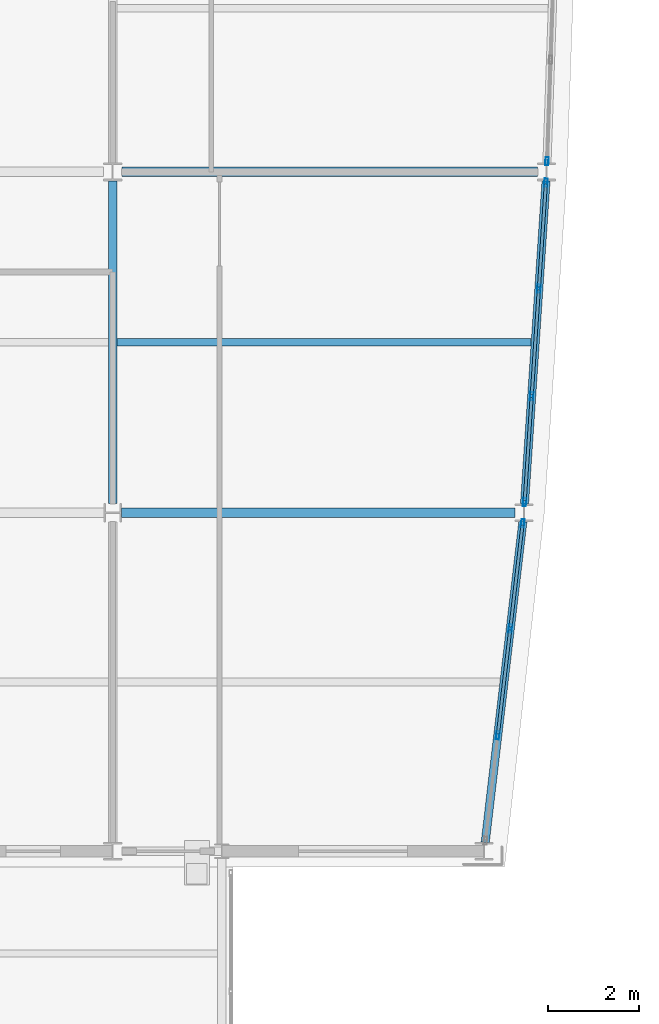
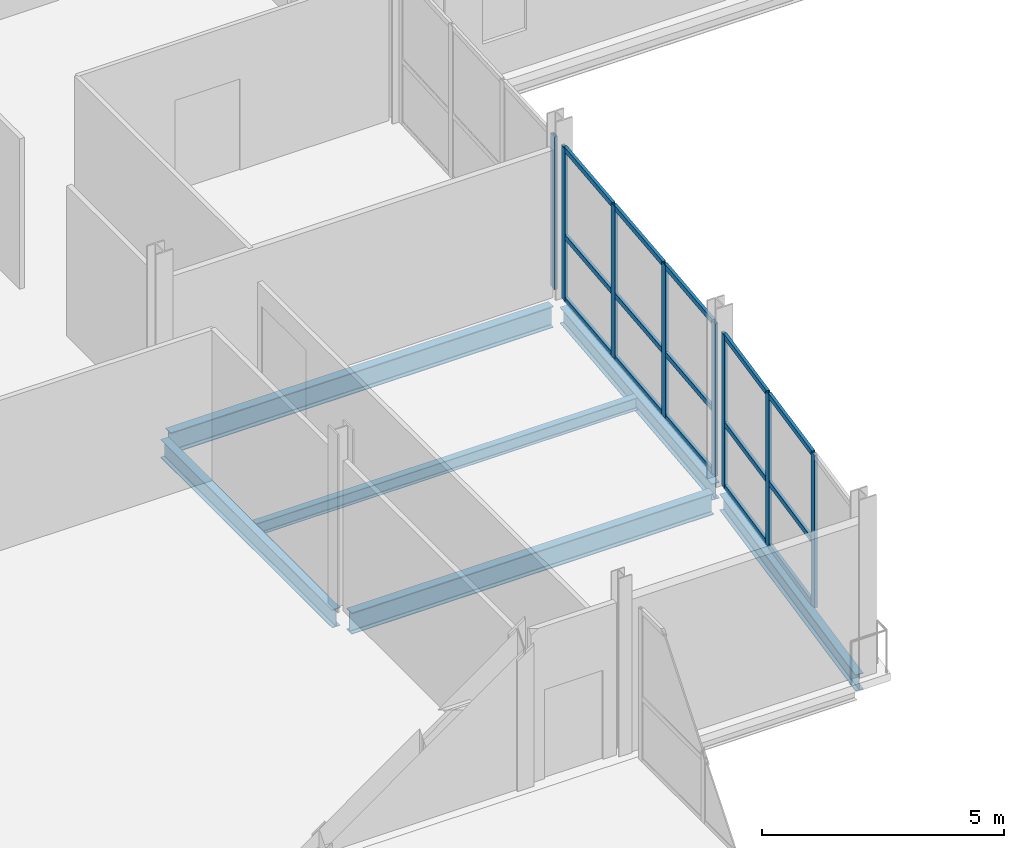
# One storey, part 28 of 77: 23 members, 6 beams, 3 elements without a shape of their own.
"""IFC4 building model written with IfcOpenShell, lengths in metres."""

from ifc_helpers import new_model, si_unit, direction, frame, origin, origin_2d, place, context, subcontext, project, spatial, hollow_rectangle, i_section, extrude, material, layer, layer_set, material_profile, profile_set, type_object, element, aggregate, save


model = new_model("IFC4")

# Units and contexts
model_context = context("Model", 3, precision=1e-05, world=origin(), true_north=direction((0.0, 1.0)))
body_context = subcontext(model_context, "Body", "Model", "MODEL_VIEW")
ifc_project = project(units=[si_unit("LENGTHUNIT", "METRE"), si_unit("AREAUNIT", "SQUARE_METRE"), si_unit("VOLUMEUNIT", "CUBIC_METRE"), si_unit("PLANEANGLEUNIT", "RADIAN"), si_unit("MASSUNIT", "GRAM", prefix="KILO")], contexts=[model_context])

# Site, building, storey
site_placement = place(None, origin())
site = spatial("IfcSite", under=ifc_project, at=site_placement, CompositionType="ELEMENT")
building_placement = place(site_placement, origin())
building = spatial("IfcBuilding", under=site, at=building_placement, Name="Quillay Park Conservatory", CompositionType="ELEMENT")
storey_placement = place(building_placement, frame((0.0, 0.0, 5.39990234375)))
storey = spatial("IfcBuildingStorey", under=building, at=storey_placement, Name="L01", CompositionType="ELEMENT", Elevation=5.39990234375)

# Beam
ifc_material_1 = material(Name="Steel ASTM A992 Grade 50", Category="steel")
ifc_material_profile_1 = material_profile(ifc_material_1, i_section(OverallWidth=0.166015625, OverallDepth=0.31298828125, WebThickness=0.006591796875, FlangeThickness=0.01123046875, FilletRadius=0.010009765625, at=origin_2d()), Name="W310x45")
ifc_profile_set_1 = profile_set([ifc_material_profile_1], Name="Steel ASTM A992 Grade 50")
beam_type_1 = type_object("IfcBeamType", Name="COMPOSITE FLOOR JOIST W310 X45", PredefinedType="JOIST", material=ifc_profile_set_1)
beam_1_placement = place(storey_placement, frame((19.845947265625, 74.25, -0.3564453125), z_axis=(1.0, 0.0, 0.0), x_axis=(0.0, 1.0, 0.0)))
element("IfcBeam", 1, at=beam_1_placement, inside=storey, type_object=beam_type_1, Name="L01 beam BM-J-0142", PredefinedType="JOIST", context=body_context, shape_type="SweptSolid", body=[
    extrude(i_section(OverallWidth=0.166015625, OverallDepth=0.31298828125, WebThickness=0.006591796875, FlangeThickness=0.01123046875, FilletRadius=0.010009765625, at=origin_2d()), origin(), (0.0, 0.0, 1.0), 9.114013671875),
])

# Curtain wall, members
ifc_material_2 = material(Name="Thermally Broken Anodised Aluminium 6063-T6", Category="aluminium")
ifc_layer = layer(ifc_material_2, 0.179931640625)
ifc_layer_set = layer_set([ifc_layer], Name="UNITISED CURTAIN WALL TOWER (Thermally Broken Anodised Aluminium 6063-T6)")
curtain_wall_type = type_object("IfcCurtainWallType", Name="UNITISED CURTAIN WALL TOWER", PredefinedType="USERDEFINED", material=ifc_layer_set)
curtain_wall_1_placement = place(storey_placement, origin())
curtain_wall_1 = element("IfcCurtainWall", 2, at=curtain_wall_1_placement, inside=storey, type_object=curtain_wall_type, Name="L01 Unitised Curtain Wall 010", ObjectType="UNITISED CURTAIN WALL", PredefinedType="USERDEFINED")
ifc_material_3 = material(Name="Thermally Broken Anodised Aluminium 6063-T6", Category="aluminium")
ifc_material_profile_2 = material_profile(ifc_material_3, hollow_rectangle(XDim=0.070068359375, YDim=0.179931640625, WallThickness=0.00390625, at=origin_2d()), Name="AL70x180x4")
ifc_profile_set_2 = profile_set([ifc_material_profile_2], Name="Thermally Broken Anodised Aluminium 6063-T6")
member_type_1 = type_object("IfcMemberType", Name="CURTAIN WALL MULLION 70 X180", PredefinedType="MULLION", material=ifc_profile_set_2)
member_1_placement = place(storey_placement, frame((28.772705078125, 70.2666015625, 0.0), z_axis=(0.0, 0.0, 1.0), x_axis=(0.993172502804, -0.116654959918, 0.0)))
member_1 = element("IfcMember", 3, at=member_1_placement, type_object=member_type_1, Name="CW-T1 mullion 1", PredefinedType="MULLION", context=body_context, shape_type="SweptSolid", body=[
    extrude(hollow_rectangle(XDim=0.070068359375, YDim=0.179931640625, WallThickness=0.00390625, at=origin_2d()), origin(), (0.0, 0.0, 1.0), 3.859130859375),
])
member_2_placement = place(storey_placement, frame((28.50048828125, 67.950439453125, 0.0), z_axis=(0.0, 0.0, 1.0), x_axis=(0.993172502804, -0.116654959918, 0.0)))
member_2 = element("IfcMember", 4, at=member_2_placement, type_object=member_type_1, Name="CW-T1 mullion 2", PredefinedType="MULLION", context=body_context, shape_type="SweptSolid", body=[
    extrude(hollow_rectangle(XDim=0.070068359375, YDim=0.179931640625, WallThickness=0.00390625, at=origin_2d()), origin(), (0.0, 0.0, 1.0), 3.859130859375),
])
member_3_placement = place(storey_placement, frame((28.224365234375, 65.599609375, 0.0), z_axis=(0.0, 0.0, 1.0), x_axis=(0.993172502804, -0.116654959918, 0.0)))
member_3 = element("IfcMember", 5, at=member_3_placement, type_object=member_type_1, Name="CW-T1 mullion 3", PredefinedType="MULLION", context=body_context, shape_type="SweptSolid", body=[
    extrude(hollow_rectangle(XDim=0.070068359375, YDim=0.179931640625, WallThickness=0.00390625, at=origin_2d()), origin(), (0.0, 0.0, 1.0), 3.859130859375),
])

curtain_wall_2_placement = place(storey_placement, origin())
curtain_wall_2 = element("IfcCurtainWall", 6, at=curtain_wall_2_placement, inside=storey, type_object=curtain_wall_type, Name="L01 Unitised Curtain Wall 011", ObjectType="UNITISED CURTAIN WALL", PredefinedType="USERDEFINED")
member_4_placement = place(storey_placement, frame((29.284423828125, 77.765380859375, 0.0), z_axis=(0.0, 0.0, 1.0), x_axis=(0.997785033503, -0.0665208758, 0.0)))
member_4 = element("IfcMember", 7, at=member_4_placement, type_object=member_type_1, Name="CW-T1 mullion 1", PredefinedType="MULLION", context=body_context, shape_type="SweptSolid", body=[
    extrude(hollow_rectangle(XDim=0.070068359375, YDim=0.179931640625, WallThickness=0.00390625, at=origin_2d()), origin(), (0.0, 0.0, 1.0), 3.859130859375),
])
member_5_placement = place(storey_placement, frame((29.12890625, 75.433349609375, 0.0), z_axis=(0.0, 0.0, 1.0), x_axis=(0.997785033503, -0.0665208758, 0.0)))
member_5 = element("IfcMember", 8, at=member_5_placement, type_object=member_type_1, Name="CW-T1 mullion 2", PredefinedType="MULLION", context=body_context, shape_type="SweptSolid", body=[
    extrude(hollow_rectangle(XDim=0.070068359375, YDim=0.179931640625, WallThickness=0.00390625, at=origin_2d()), origin(), (0.0, 0.0, 1.0), 3.859130859375),
])
member_6_placement = place(storey_placement, frame((28.97119140625, 73.066650390625, 0.0), z_axis=(0.0, 0.0, 1.0), x_axis=(0.997785033503, -0.0665208758, 0.0)))
member_6 = element("IfcMember", 9, at=member_6_placement, type_object=member_type_1, Name="CW-T1 mullion 3", PredefinedType="MULLION", context=body_context, shape_type="SweptSolid", body=[
    extrude(hollow_rectangle(XDim=0.070068359375, YDim=0.179931640625, WallThickness=0.00390625, at=origin_2d()), origin(), (0.0, 0.0, 1.0), 3.859130859375),
])
member_7_placement = place(storey_placement, frame((28.815673828125, 70.734619140625, 0.0), z_axis=(0.0, 0.0, 1.0), x_axis=(0.997785033503, -0.0665208758, 0.0)))
member_7 = element("IfcMember", 10, at=member_7_placement, type_object=member_type_1, Name="CW-T1 mullion 4", PredefinedType="MULLION", context=body_context, shape_type="SweptSolid", body=[
    extrude(hollow_rectangle(XDim=0.070068359375, YDim=0.179931640625, WallThickness=0.00390625, at=origin_2d()), origin(), (0.0, 0.0, 1.0), 3.859130859375),
])

# Curtain wall, member
curtain_wall_3_placement = place(storey_placement, origin())
curtain_wall_3 = element("IfcCurtainWall", 11, at=curtain_wall_3_placement, inside=storey, type_object=curtain_wall_type, Name="L01 Unitised Curtain Wall 012", ObjectType="UNITISED CURTAIN WALL", PredefinedType="USERDEFINED")
member_8_placement = place(storey_placement, frame((29.30810546875, 78.23486328125, 0.0), z_axis=(0.0, 0.0, 1.0), x_axis=(0.999397310446, -0.034713338537, 0.0)))
member_8 = element("IfcMember", 12, at=member_8_placement, type_object=member_type_1, Name="CW-T1 mullion 4", PredefinedType="MULLION", context=body_context, shape_type="SweptSolid", body=[
    extrude(hollow_rectangle(XDim=0.070068359375, YDim=0.179931640625, WallThickness=0.00390625, at=origin_2d()), origin(), (0.0, 0.0, 1.0), 3.859130859375),
])
aggregate(curtain_wall_3, [member_8])

# Member
ifc_material_4 = material(Name="Thermally Broken Anodised Aluminium 6063-T6", Category="aluminium")
ifc_material_profile_3 = material_profile(ifc_material_4, hollow_rectangle(XDim=0.070068359375, YDim=0.1298828125, WallThickness=0.003173828125, at=origin_2d()), Name="AL70x130x3.2")
ifc_profile_set_3 = profile_set([ifc_material_profile_3], Name="Thermally Broken Anodised Aluminium 6063-T6")
member_type_2 = type_object("IfcMemberType", Name="CURTAIN WALL TRANSOM 70 X130", PredefinedType="USERDEFINED", material=ifc_profile_set_3)
member_9_placement = place(storey_placement, frame((28.7685546875, 70.23193359375, 0.03515625), z_axis=(-0.116659662976, -0.993171950386, 0.0), x_axis=(0.993171950386, -0.116659662976, 0.0)))
member_9 = element("IfcMember", 13, at=member_9_placement, type_object=member_type_2, Name="CW-T1 transom 1.1", ObjectType="TRANSOM", PredefinedType="USERDEFINED", context=body_context, shape_type="SweptSolid", body=[
    extrude(hollow_rectangle(XDim=0.070068359375, YDim=0.1298828125, WallThickness=0.003173828125, at=origin_2d()), origin(), (0.0, 0.0, 1.0), 2.26220703125),
])

member_10_placement = place(storey_placement, frame((28.7685546875, 70.23193359375, 1.620849609375), z_axis=(-0.116659662976, -0.993171950386, 0.0), x_axis=(0.993171950386, -0.116659662976, 0.0)))
member_10 = element("IfcMember", 14, at=member_10_placement, type_object=member_type_2, Name="CW-T1 transom 1.2", ObjectType="TRANSOM", PredefinedType="USERDEFINED", context=body_context, shape_type="SweptSolid", body=[
    extrude(hollow_rectangle(XDim=0.070068359375, YDim=0.1298828125, WallThickness=0.003173828125, at=origin_2d()), origin(), (0.0, 0.0, 1.0), 2.26220703125),
])

member_11_placement = place(storey_placement, frame((28.7685546875, 70.23193359375, 3.82421875), z_axis=(-0.116659662976, -0.993171950386, 0.0), x_axis=(0.993171950386, -0.116659662976, 0.0)))
member_11 = element("IfcMember", 15, at=member_11_placement, type_object=member_type_2, Name="CW-T1 transom 1.3", ObjectType="TRANSOM", PredefinedType="USERDEFINED", context=body_context, shape_type="SweptSolid", body=[
    extrude(hollow_rectangle(XDim=0.070068359375, YDim=0.1298828125, WallThickness=0.003173828125, at=origin_2d()), origin(), (0.0, 0.0, 1.0), 2.26220703125),
])

member_12_placement = place(storey_placement, frame((28.49658203125, 67.915771484375, 0.03515625), z_axis=(-0.116693255048, -0.993168004029, 0.0), x_axis=(0.993168004029, -0.116693255048, 0.0)))
member_12 = element("IfcMember", 16, at=member_12_placement, type_object=member_type_2, Name="CW-T1 transom 2.1", ObjectType="TRANSOM", PredefinedType="USERDEFINED", context=body_context, shape_type="SweptSolid", body=[
    extrude(hollow_rectangle(XDim=0.070068359375, YDim=0.1298828125, WallThickness=0.003173828125, at=origin_2d()), origin(), (0.0, 0.0, 1.0), 2.297119140625),
])

member_13_placement = place(storey_placement, frame((28.49658203125, 67.915771484375, 1.620849609375), z_axis=(-0.116693255048, -0.993168004029, 0.0), x_axis=(0.993168004029, -0.116693255048, 0.0)))
member_13 = element("IfcMember", 17, at=member_13_placement, type_object=member_type_2, Name="CW-T1 transom 2.2", ObjectType="TRANSOM", PredefinedType="USERDEFINED", context=body_context, shape_type="SweptSolid", body=[
    extrude(hollow_rectangle(XDim=0.070068359375, YDim=0.1298828125, WallThickness=0.003173828125, at=origin_2d()), origin(), (0.0, 0.0, 1.0), 2.297119140625),
])

member_14_placement = place(storey_placement, frame((28.49658203125, 67.915771484375, 3.82421875), z_axis=(-0.116693255048, -0.993168004029, 0.0), x_axis=(0.993168004029, -0.116693255048, 0.0)))
member_14 = element("IfcMember", 18, at=member_14_placement, type_object=member_type_2, Name="CW-T1 transom 2.3", ObjectType="TRANSOM", PredefinedType="USERDEFINED", context=body_context, shape_type="SweptSolid", body=[
    extrude(hollow_rectangle(XDim=0.070068359375, YDim=0.1298828125, WallThickness=0.003173828125, at=origin_2d()), origin(), (0.0, 0.0, 1.0), 2.297119140625),
])

aggregate(curtain_wall_1, [member_1, member_2, member_3, member_9, member_10, member_11, member_12, member_13, member_14])

member_15_placement = place(storey_placement, frame((29.281982421875, 77.73046875, 0.03515625), z_axis=(-0.066447531676, -0.997789920542, 0.0), x_axis=(0.997789920542, -0.066447531676, 0.0)))
member_15 = element("IfcMember", 19, at=member_15_placement, type_object=member_type_2, Name="CW-T1 transom 1.1", ObjectType="TRANSOM", PredefinedType="USERDEFINED", context=body_context, shape_type="SweptSolid", body=[
    extrude(hollow_rectangle(XDim=0.070068359375, YDim=0.1298828125, WallThickness=0.003173828125, at=origin_2d()), origin(), (0.0, 0.0, 1.0), 2.26708984375),
])

member_16_placement = place(storey_placement, frame((29.281982421875, 77.73046875, 1.620849609375), z_axis=(-0.066447531676, -0.997789920542, 0.0), x_axis=(0.997789920542, -0.066447531676, 0.0)))
member_16 = element("IfcMember", 20, at=member_16_placement, type_object=member_type_2, Name="CW-T1 transom 1.2", ObjectType="TRANSOM", PredefinedType="USERDEFINED", context=body_context, shape_type="SweptSolid", body=[
    extrude(hollow_rectangle(XDim=0.070068359375, YDim=0.1298828125, WallThickness=0.003173828125, at=origin_2d()), origin(), (0.0, 0.0, 1.0), 2.26708984375),
])

member_17_placement = place(storey_placement, frame((29.281982421875, 77.73046875, 3.82421875), z_axis=(-0.066447531676, -0.997789920542, 0.0), x_axis=(0.997789920542, -0.066447531676, 0.0)))
member_17 = element("IfcMember", 21, at=member_17_placement, type_object=member_type_2, Name="CW-T1 transom 1.3", ObjectType="TRANSOM", PredefinedType="USERDEFINED", context=body_context, shape_type="SweptSolid", body=[
    extrude(hollow_rectangle(XDim=0.070068359375, YDim=0.1298828125, WallThickness=0.003173828125, at=origin_2d()), origin(), (0.0, 0.0, 1.0), 2.26708984375),
])

member_18_placement = place(storey_placement, frame((29.12646484375, 75.3984375, 0.03515625), z_axis=(-0.066497892916, -0.997786565473, 0.0), x_axis=(0.997786565473, -0.066497892916, 0.0)))
member_18 = element("IfcMember", 22, at=member_18_placement, type_object=member_type_2, Name="CW-T1 transom 2.1", ObjectType="TRANSOM", PredefinedType="USERDEFINED", context=body_context, shape_type="SweptSolid", body=[
    extrude(hollow_rectangle(XDim=0.070068359375, YDim=0.1298828125, WallThickness=0.003173828125, at=origin_2d()), origin(), (0.0, 0.0, 1.0), 2.302001953125),
])

member_19_placement = place(storey_placement, frame((29.12646484375, 75.3984375, 1.620849609375), z_axis=(-0.066497892916, -0.997786565473, 0.0), x_axis=(0.997786565473, -0.066497892916, 0.0)))
member_19 = element("IfcMember", 23, at=member_19_placement, type_object=member_type_2, Name="CW-T1 transom 2.2", ObjectType="TRANSOM", PredefinedType="USERDEFINED", context=body_context, shape_type="SweptSolid", body=[
    extrude(hollow_rectangle(XDim=0.070068359375, YDim=0.1298828125, WallThickness=0.003173828125, at=origin_2d()), origin(), (0.0, 0.0, 1.0), 2.302001953125),
])

member_20_placement = place(storey_placement, frame((29.12646484375, 75.3984375, 3.82421875), z_axis=(-0.066497892916, -0.997786565473, 0.0), x_axis=(0.997786565473, -0.066497892916, 0.0)))
member_20 = element("IfcMember", 24, at=member_20_placement, type_object=member_type_2, Name="CW-T1 transom 2.3", ObjectType="TRANSOM", PredefinedType="USERDEFINED", context=body_context, shape_type="SweptSolid", body=[
    extrude(hollow_rectangle(XDim=0.070068359375, YDim=0.1298828125, WallThickness=0.003173828125, at=origin_2d()), origin(), (0.0, 0.0, 1.0), 2.302001953125),
])

member_21_placement = place(storey_placement, frame((28.96875, 73.031494140625, 0.03515625), z_axis=(-0.066554749564, -0.997782774611, 0.0), x_axis=(0.997782774611, -0.066554749564, 0.0)))
member_21 = element("IfcMember", 25, at=member_21_placement, type_object=member_type_2, Name="CW-T1 transom 3.1", ObjectType="TRANSOM", PredefinedType="USERDEFINED", context=body_context, shape_type="SweptSolid", body=[
    extrude(hollow_rectangle(XDim=0.070068359375, YDim=0.1298828125, WallThickness=0.003173828125, at=origin_2d()), origin(), (0.0, 0.0, 1.0), 2.26708984375),
])

member_22_placement = place(storey_placement, frame((28.96875, 73.031494140625, 1.620849609375), z_axis=(-0.066554749564, -0.997782774611, 0.0), x_axis=(0.997782774611, -0.066554749564, 0.0)))
member_22 = element("IfcMember", 26, at=member_22_placement, type_object=member_type_2, Name="CW-T1 transom 3.2", ObjectType="TRANSOM", PredefinedType="USERDEFINED", context=body_context, shape_type="SweptSolid", body=[
    extrude(hollow_rectangle(XDim=0.070068359375, YDim=0.1298828125, WallThickness=0.003173828125, at=origin_2d()), origin(), (0.0, 0.0, 1.0), 2.26708984375),
])

member_23_placement = place(storey_placement, frame((28.96875, 73.031494140625, 3.82421875), z_axis=(-0.066554749564, -0.997782774611, 0.0), x_axis=(0.997782774611, -0.066554749564, 0.0)))
member_23 = element("IfcMember", 27, at=member_23_placement, type_object=member_type_2, Name="CW-T1 transom 3.3", ObjectType="TRANSOM", PredefinedType="USERDEFINED", context=body_context, shape_type="SweptSolid", body=[
    extrude(hollow_rectangle(XDim=0.070068359375, YDim=0.1298828125, WallThickness=0.003173828125, at=origin_2d()), origin(), (0.0, 0.0, 1.0), 2.26708984375),
])

aggregate(curtain_wall_2, [member_4, member_5, member_6, member_7, member_15, member_16, member_17, member_18, member_19, member_20, member_21, member_22, member_23])

# Beams
ifc_material_5 = material(Name="Steel ASTM A992 Grade 50", Category="steel")
ifc_material_profile_4 = material_profile(ifc_material_5, i_section(OverallWidth=0.179931640625, OverallDepth=0.4130859375, WebThickness=0.009765625, FlangeThickness=0.01611328125, FilletRadius=0.011962890625, at=origin_2d()), Name="W410x74")
ifc_profile_set_4 = profile_set([ifc_material_profile_4], Name="Steel ASTM A992 Grade 50")
beam_type_2 = type_object("IfcBeamType", Name="PERIMETER SPANDREL BEAM W410 X74", PredefinedType="SPANDREL", material=ifc_profile_set_4)
beam_2_placement = place(storey_placement, frame((27.947998046875, 63.2451171875, -0.406494140625), z_axis=(0.116641963047, 0.99317402929, 0.0), x_axis=(-0.99317402929, 0.116641963047, 0.0)))
element("IfcBeam", 28, at=beam_2_placement, inside=storey, type_object=beam_type_2, Name="L01 beam BM-SPE-0131", PredefinedType="SPANDREL", context=body_context, shape_type="SweptSolid", body=[
    extrude(i_section(OverallWidth=0.179931640625, OverallDepth=0.4130859375, WebThickness=0.009765625, FlangeThickness=0.01611328125, FilletRadius=0.011962890625, at=origin_2d()), origin(), (0.0, 0.0, 1.0), 7.108154296875),
])
beam_3_placement = place(storey_placement, frame((28.81298828125, 70.696044921875, -0.406494140625), z_axis=(0.066521285191, 0.99778500621, 0.0), x_axis=(-0.99778500621, 0.066521285191, 0.0)))
element("IfcBeam", 29, at=beam_3_placement, inside=storey, type_object=beam_type_2, Name="L01 beam BM-SPE-0138", PredefinedType="SPANDREL", context=body_context, shape_type="SweptSolid", body=[
    extrude(i_section(OverallWidth=0.179931640625, OverallDepth=0.4130859375, WebThickness=0.009765625, FlangeThickness=0.01611328125, FilletRadius=0.011962890625, at=origin_2d()), origin(), (0.0, 0.0, 1.0), 7.123779296875),
])
ifc_material_6 = material(Name="Steel ASTM A992 Grade 50", Category="steel")
ifc_material_profile_5 = material_profile(ifc_material_6, i_section(OverallWidth=0.19189453125, OverallDepth=0.462890625, WebThickness=0.010498046875, FlangeThickness=0.017578125, FilletRadius=0.012939453125, at=origin_2d()), Name="W460x89")
ifc_profile_set_5 = profile_set([ifc_material_profile_5], Name="Steel ASTM A992 Grade 50")
beam_type_3 = type_object("IfcBeamType", Name="PRIMARY FLOOR GIRDER W460 X89", PredefinedType="BEAM", material=ifc_profile_set_5)
beam_4_placement = place(storey_placement, frame((19.75, 70.699462890625, -0.431396484375), z_axis=(0.0, 1.0, 0.0), x_axis=(-1.0, 0.0, 0.0)))
element("IfcBeam", 30, at=beam_4_placement, inside=storey, type_object=beam_type_3, Name="L01 beam BM-GNS-0140", PredefinedType="BEAM", context=body_context, shape_type="SweptSolid", body=[
    extrude(i_section(OverallWidth=0.19189453125, OverallDepth=0.462890625, WebThickness=0.010498046875, FlangeThickness=0.017578125, FilletRadius=0.012939453125, at=origin_2d()), origin(), (0.0, 0.0, 1.0), 7.10400390625),
])
ifc_material_7 = material(Name="Steel ASTM A992 Grade 50", Category="steel")
ifc_material_profile_6 = material_profile(ifc_material_7, i_section(OverallWidth=0.2109375, OverallDepth=0.5390625, WebThickness=0.01171875, FlangeThickness=0.018798828125, FilletRadius=0.013916015625, at=origin_2d()), Name="W530x109")
ifc_profile_set_6 = profile_set([ifc_material_profile_6], Name="Steel ASTM A992 Grade 50")
beam_type_4 = type_object("IfcBeamType", Name="PRIMARY FLOOR GIRDER W530 X109", PredefinedType="BEAM", material=ifc_profile_set_6)
beam_5_placement = place(storey_placement, frame((19.946533203125, 70.5, -0.469482421875), z_axis=(1.0, 0.0, 0.0), x_axis=(0.0, 1.0, 0.0)))
element("IfcBeam", 31, at=beam_5_placement, inside=storey, type_object=beam_type_4, Name="L01 beam BM-G-0113", PredefinedType="BEAM", context=body_context, shape_type="SweptSolid", body=[
    extrude(i_section(OverallWidth=0.2109375, OverallDepth=0.5390625, WebThickness=0.01171875, FlangeThickness=0.018798828125, FilletRadius=0.013916015625, at=origin_2d()), origin(), (0.0, 0.0, 1.0), 8.654052734375),
])
beam_6_placement = place(storey_placement, frame((19.949462890625, 78.0, -0.469482421875), z_axis=(1.0, 0.0, 0.0), x_axis=(0.0, 1.0, 0.0)))
element("IfcBeam", 32, at=beam_6_placement, inside=storey, type_object=beam_type_4, Name="L01 beam BM-G-0116", PredefinedType="BEAM", context=body_context, shape_type="SweptSolid", body=[
    extrude(i_section(OverallWidth=0.2109375, OverallDepth=0.5390625, WebThickness=0.01171875, FlangeThickness=0.018798828125, FilletRadius=0.013916015625, at=origin_2d()), origin(), (0.0, 0.0, 1.0), 9.151123046875),
])

save(model, "model.ifc")
